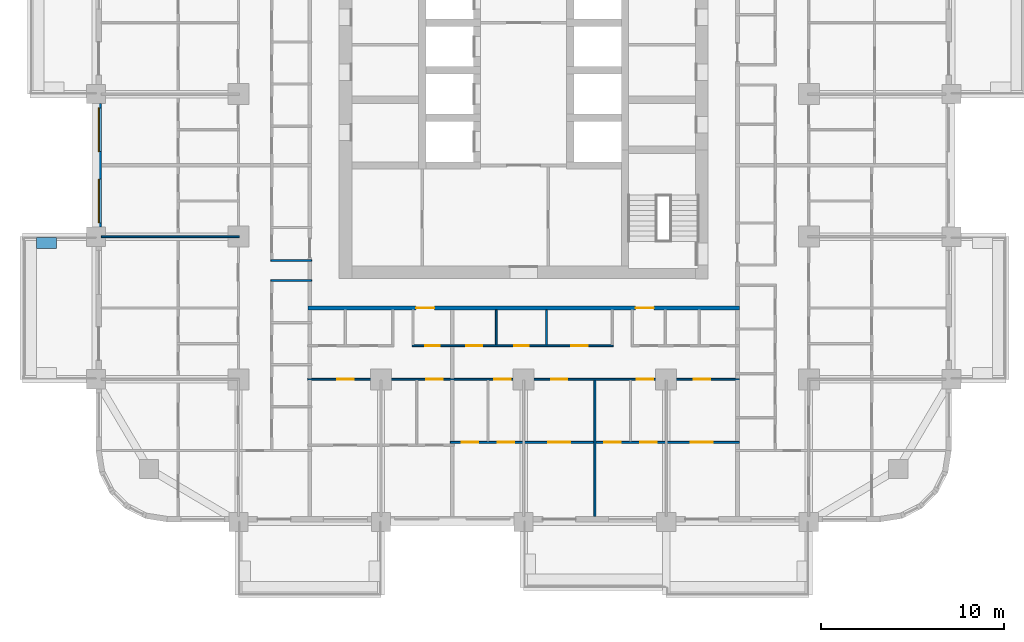
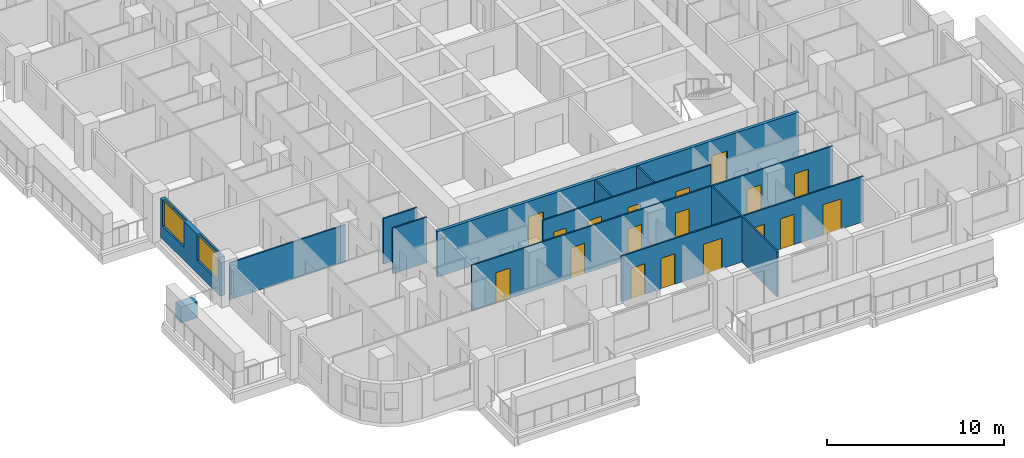
# One storey, part 4 of 18: 18 doors, 12 walls, 2 windows, 20 openings.
"""IFC4 building model written with IfcOpenShell, lengths in metres."""

import ifcopenshell
import ifcopenshell.guid

model = None  # the IFC model being written
_history = None  # IfcOwnerHistory: only IFC2X3 demands one
_inside = {}  # id of a spatial element -> (the spatial element, [elements in it])
_under = {}  # id of a project, library or spatial element -> (it, [spatial elements below it])
_declared = {}  # id of a project -> (the project, [libraries it declares])
_typed = {}  # id of a type object -> (the type object, [elements of that type])
_made_of = {}  # id of a material, layer set ... -> (it, [elements and type objects made of it])


def new_model(schema):
    """Start an empty IFC model of exactly this schema.

    Asked for "IFC4X3", IfcOpenShell would pick the latest addendum, in which some entities
    have other attributes; the version numbers below select the first issue.
    IFC2X3 requires an IfcOwnerHistory on every rooted entity: one is made here for all.
    """
    global model, _history
    if schema == "IFC4X3":
        model = ifcopenshell.file(schema_version=(4, 3, 0, 0))
    else:
        model = ifcopenshell.file(schema=schema)
    _inside.clear()
    _under.clear()
    _declared.clear()
    _typed.clear()
    _made_of.clear()
    _history = None
    if model.schema == "IFC2X3":
        org = make("IfcOrganization", Name="unknown")
        user = make(
            "IfcPersonAndOrganization",
            ThePerson=make("IfcPerson", FamilyName="unknown"),
            TheOrganization=org,
        )
        app = make(
            "IfcApplication",
            ApplicationDeveloper=org,
            Version="unknown",
            ApplicationFullName="unknown",
            ApplicationIdentifier="unknown",
        )
        _history = make(
            "IfcOwnerHistory",
            OwningUser=user,
            OwningApplication=app,
            ChangeAction="ADDED",
            CreationDate=0,
        )
    return model


def make(cls, **values):
    """One entity of the class cls with the attributes given. An attribute that is None is left unset."""
    return model.create_entity(
        cls, **{name: value for name, value in values.items() if value is not None}
    )


def rooted(cls, **values):
    """An entity with a GlobalId (a new one), such as an element, a storey or a relation."""
    return make(cls, GlobalId=ifcopenshell.guid.new(), OwnerHistory=_history, **values)


def si_unit(unit_type, name, prefix=None):
    """IfcSIUnit, for example si_unit("LENGTHUNIT", "METRE", prefix="MILLI")."""
    return make("IfcSIUnit", UnitType=unit_type, Prefix=prefix, Name=name)


def assignment(units):
    """IfcUnitAssignment: the units of a project."""
    return None if units is None else make("IfcUnitAssignment", Units=units)


def point(xyz):
    """IfcCartesianPoint."""
    return None if xyz is None else make("IfcCartesianPoint", Coordinates=xyz)


def direction(xyz):
    """IfcDirection."""
    return None if xyz is None else make("IfcDirection", DirectionRatios=xyz)


def frame(location, z_axis=None, x_axis=None):
    """IfcAxis2Placement3D, a coordinate frame: its origin and axes. An axis left out is left unset."""
    return make(
        "IfcAxis2Placement3D",
        Location=point(location),
        Axis=direction(z_axis),
        RefDirection=direction(x_axis),
    )


def frame_2d(location, x_axis=None):
    """IfcAxis2Placement2D, a coordinate frame in the plane: its origin and x axis."""
    return make(
        "IfcAxis2Placement2D", Location=point(location), RefDirection=direction(x_axis)
    )


def origin():
    """The frame at (0, 0, 0) with its axes left unset."""
    return frame((0.0, 0.0, 0.0))


def place(relative_to, where):
    """IfcLocalPlacement: puts the frame where relative to a parent placement (None: the world)."""
    return make(
        "IfcLocalPlacement", PlacementRelTo=relative_to, RelativePlacement=where
    )


def context(
    kind, dimensions, precision=None, world=None, true_north=None, identifier=None
):
    """IfcGeometricRepresentationContext, for example the 3D "Model" context."""
    return make(
        "IfcGeometricRepresentationContext",
        ContextIdentifier=identifier,
        ContextType=kind,
        CoordinateSpaceDimension=dimensions,
        Precision=precision,
        WorldCoordinateSystem=world,
        TrueNorth=true_north,
    )


def subcontext(parent, identifier, kind, view, scale=None):
    """IfcGeometricRepresentationSubContext, for example "Body" below "Model"."""
    return make(
        "IfcGeometricRepresentationSubContext",
        ContextIdentifier=identifier,
        ContextType=kind,
        ParentContext=parent,
        TargetScale=scale,
        TargetView=view,
    )


def project(units=None, contexts=None):
    """IfcProject with its units and contexts."""
    return rooted(
        "IfcProject",
        Name="project",
        RepresentationContexts=contexts,
        UnitsInContext=assignment(units),
    )


def spatial(cls, under=None, at=None, **own):
    """A site, building, storey or space (cls), placed at a placement, below another one or the project."""
    s = rooted(cls, ObjectPlacement=at, **own)
    if under is not None:
        _under.setdefault(under.id(), (under, []))[1].append(s)
    return s


def profile(cls, at=None, kind="AREA", **sizes):
    """A parametric profile (cls). Its sizes go by their IFC names, for example OverallWidth=200.0."""
    return make(cls, ProfileType=kind, Position=at, **sizes)


def rectangle(**sizes):
    """IfcRectangleProfileDef."""
    return profile("IfcRectangleProfileDef", **sizes)


def extrude(swept, where, along, depth):
    """IfcExtrudedAreaSolid: the profile swept, set in the frame where, extruded along a direction by depth."""
    return make(
        "IfcExtrudedAreaSolid",
        SweptArea=swept,
        Position=where,
        ExtrudedDirection=direction(along),
        Depth=depth,
    )


def shape(context_of_items, identifier, shape_type, items):
    """IfcShapeRepresentation: the items that make up one representation, for example the "Body"."""
    return make(
        "IfcShapeRepresentation",
        ContextOfItems=context_of_items,
        RepresentationIdentifier=identifier,
        RepresentationType=shape_type,
        Items=items,
    )


def material(Name=None, Category=None):
    """IfcMaterial."""
    return make("IfcMaterial", Name=Name, Category=Category)


def layer(
    of_material, thickness, ventilated=None, Name=None, Category=None, Priority=None
):
    """IfcMaterialLayer: one layer of a wall or slab, of a material (None: an air gap)."""
    return make(
        "IfcMaterialLayer",
        Material=of_material,
        LayerThickness=thickness,
        IsVentilated=ventilated,
        Name=Name,
        Category=Category,
        Priority=Priority,
    )


def layer_set(layers, Name=None):
    """IfcMaterialLayerSet."""
    return make("IfcMaterialLayerSet", MaterialLayers=layers, LayerSetName=Name)


def made_of(thing, what):
    """Note that an element or type object is made of a material, layer set ...; save() writes the relation."""
    if what is not None:
        _made_of.setdefault(what.id(), (what, []))[1].append(thing)
    return thing


def type_object(cls, material=None, **own):
    """A type object (cls), such as IfcWallType, which elements share."""
    return made_of(rooted(cls, **own), material)


def element(
    cls,
    number,
    at=None,
    inside=None,
    cuts=None,
    type_object=None,
    material=None,
    context=None,
    identifier="Body",
    shape_type=None,
    held_by="IfcProductDefinitionShape",
    body=None,
    shapes=None,
    **own,
):
    """One element of the class cls, such as IfcWall. Its Tag is "e" and its number.

    at: its placement. inside: the storey or other place that contains it. cuts: it is an
    opening in that element (IfcRelVoidsElement). A single representation is given by context,
    identifier, shape_type and body (its items); several are given by shapes. held_by: the class
    of the entity that holds the representations. save() writes the other relations.
    """
    e = rooted(cls, Tag="e%d" % number, ObjectPlacement=at, **own)
    if body is not None:
        shapes = [shape(context, identifier, shape_type, body)]
    if shapes is not None:
        e.Representation = make(held_by, Representations=shapes)
    if inside is not None:
        _inside.setdefault(inside.id(), (inside, []))[1].append(e)
    if cuts is not None:
        rooted(
            "IfcRelVoidsElement", RelatingBuildingElement=cuts, RelatedOpeningElement=e
        )
    if type_object is not None:
        _typed.setdefault(type_object.id(), (type_object, []))[1].append(e)
    return made_of(e, material)


def fill(opening, filler):
    """IfcRelFillsElement: the door or window that sits in an opening."""
    return rooted(
        "IfcRelFillsElement",
        RelatingOpeningElement=opening,
        RelatedBuildingElement=filler,
    )


def aggregate(whole, parts):
    """IfcRelAggregates: a whole, such as a stair, and the parts it consists of."""
    return rooted("IfcRelAggregates", RelatingObject=whole, RelatedObjects=parts)


def save(model, path):
    """Write the relations noted so far, then the file.

    IfcRelAggregates (storeys below a building ...), IfcRelContainedInSpatialStructure (elements
    in a storey), IfcRelDefinesByType, IfcRelAssociatesMaterial and IfcRelDeclares: one each for
    every whole, place, type object, material and project.
    """
    for whole, parts in _under.values():
        aggregate(whole, parts)
    for where, things in _inside.values():
        rooted(
            "IfcRelContainedInSpatialStructure",
            RelatedElements=things,
            RelatingStructure=where,
        )
    for kind, things in _typed.values():
        rooted("IfcRelDefinesByType", RelatedObjects=things, RelatingType=kind)
    for what, things in _made_of.values():
        rooted("IfcRelAssociatesMaterial", RelatedObjects=things, RelatingMaterial=what)
    for by, libraries in _declared.values():
        rooted("IfcRelDeclares", RelatingContext=by, RelatedDefinitions=libraries)
    model.write(path)


model = new_model("IFC4")

# Units and contexts
model_context = context("Model", 3, precision=1e-05, world=origin(), true_north=direction((0.0, 1.0)))
body_context = subcontext(model_context, "Body", "Model", "MODEL_VIEW")
ifc_project = project(units=[si_unit("LENGTHUNIT", "METRE"), si_unit("AREAUNIT", "SQUARE_METRE"), si_unit("VOLUMEUNIT", "CUBIC_METRE"), si_unit("PLANEANGLEUNIT", "RADIAN"), si_unit("MASSUNIT", "GRAM", prefix="KILO")], contexts=[model_context])

# Site, building, storey
site_placement = place(None, origin())
site = spatial("IfcSite", under=ifc_project, at=site_placement, CompositionType="ELEMENT")
building_placement = place(site_placement, origin())
building = spatial("IfcBuilding", under=site, at=building_placement, Name="Ludao Terraces", CompositionType="ELEMENT")
storey_placement = place(building_placement, frame((0.0, 0.0, 29.699951171875)))
storey = spatial("IfcBuildingStorey", under=building, at=storey_placement, Name="L07", CompositionType="ELEMENT", Elevation=29.699951171875)

# Wall
ifc_material_1 = material(Name="Concrete C40", Category="concrete")
ifc_layer_1 = layer(ifc_material_1, 0.60009765625)
ifc_layer_set_1 = layer_set([ifc_layer_1], Name="ENV Planter trough 600")
wall_type_1 = type_object("IfcWallType", Name="ENV Planter trough 600", PredefinedType="USERDEFINED", material=ifc_layer_set_1)
wall_1_placement = place(storey_placement, frame((58.35009765625, 56.85009765625, 0.0), z_axis=(0.0, 0.0, 1.0), x_axis=(1.0, 0.0, 0.0)))
element("IfcWall", 1, at=wall_1_placement, inside=storey, type_object=wall_type_1, Name="PL-L07-W1-SB", ObjectType="PLANTER", PredefinedType="USERDEFINED", context=body_context, shape_type="SweptSolid", body=[
    extrude(rectangle(XDim=1.099853515625, YDim=0.60009765625, at=frame_2d((0.5498046875, 0.0))), origin(), (0.0, 0.0, 1.0), 1.10009765625),
])

# Wall, openings, windows
ifc_material_2 = material(Name="Granite cladding", Category="masonry")
ifc_layer_2 = layer(ifc_material_2, 0.0400390625, Category="stone")
ifc_material_3 = material(Name="Mineral wool")
ifc_layer_3 = layer(ifc_material_3, 0.06005859375)
ifc_layer_4 = layer(ifc_material_1, 0.199951171875, Category="concrete")
ifc_layer_set_2 = layer_set([ifc_layer_2, ifc_layer_3, ifc_layer_4], Name="ENV Stone-clad wall 300")
wall_type_2 = type_object("IfcWallType", Name="ENV Stone-clad wall 300", PredefinedType="SOLIDWALL", material=ifc_layer_set_2)
wall_2_placement = place(storey_placement, frame((61.75, 57.72509765625, 0.0), z_axis=(0.0, 0.0, 1.0), x_axis=(0.0, 1.0, 0.0)))
wall_2 = element("IfcWall", 2, at=wall_2_placement, inside=storey, type_object=wall_type_2, Name="EW-L07-W3", PredefinedType="SOLIDWALL", context=body_context, shape_type="SweptSolid", body=[
    extrude(rectangle(XDim=6.75, YDim=0.300048828125, at=frame_2d((3.375, 0.0))), origin(), (0.0, 0.0, 1.0), 2.699951171875),
])
opening_1_placement = place(wall_2_placement, frame((0.22509765625, 0.0, 0.89990234375)))
opening_1 = element("IfcOpeningElement", 3, at=opening_1_placement, cuts=wall_2, Name="Opening W1", PredefinedType="OPENING", context=body_context, shape_type="SweptSolid", body=[
    extrude(rectangle(XDim=2.39990234375, YDim=1.800048828125, at=frame_2d((1.199951171875, 0.89990234375))), frame((0.0, 0.16015625, 0.0), z_axis=(0.0, -1.0, 0.0), x_axis=(1.0, 0.0, 0.0)), (0.0, 0.0, 1.0), 0.320068359375),
])
opening_2_placement = place(wall_2_placement, frame((4.125, 0.0, 0.89990234375)))
opening_2 = element("IfcOpeningElement", 4, at=opening_2_placement, cuts=wall_2, Name="Opening W1", PredefinedType="OPENING", context=body_context, shape_type="SweptSolid", body=[
    extrude(rectangle(XDim=2.39990234375, YDim=1.800048828125, at=frame_2d((1.199951171875, 0.89990234375))), frame((0.0, 0.16015625, 0.0), z_axis=(0.0, -1.0, 0.0), x_axis=(1.0, 0.0, 0.0)), (0.0, 0.0, 1.0), 0.320068359375),
])
ifc_material_4 = material(Name="Clear glass in aluminium frame", Category="aluminium")
ifc_layer_5 = layer(ifc_material_4, 0.06005859375)
ifc_layer_set_3 = layer_set([ifc_layer_5], Name="ENV Window W1 2400x1800")
window_type = type_object("IfcWindowType", Name="ENV Window W1 2400x1800", PartitioningType="DOUBLE_PANEL_VERTICAL", PredefinedType="WINDOW", material=ifc_layer_set_3)
window_1_placement = place(opening_1_placement, origin())
window_1 = element("IfcWindow", 5, at=window_1_placement, inside=storey, type_object=window_type, Name="W-L07-W3-1", OverallHeight=1.800048828125, OverallWidth=2.39990234375, PartitioningType="DOUBLE_PANEL_VERTICAL", PredefinedType="WINDOW", context=body_context, shape_type="SweptSolid", body=[
    extrude(rectangle(XDim=2.39990234375, YDim=1.800048828125, at=frame_2d((1.199951171875, 0.89990234375))), frame((0.0, 0.030029296875, 0.0), z_axis=(0.0, -1.0, 0.0), x_axis=(1.0, 0.0, 0.0)), (0.0, 0.0, 1.0), 0.06005859375),
])
fill(opening_1, window_1)
window_2_placement = place(opening_2_placement, origin())
window_2 = element("IfcWindow", 6, at=window_2_placement, inside=storey, type_object=window_type, Name="W-L07-W3-2", OverallHeight=1.800048828125, OverallWidth=2.39990234375, PartitioningType="DOUBLE_PANEL_VERTICAL", PredefinedType="WINDOW", context=body_context, shape_type="SweptSolid", body=[
    extrude(rectangle(XDim=2.39990234375, YDim=1.800048828125, at=frame_2d((1.199951171875, 0.89990234375))), frame((0.0, 0.030029296875, 0.0), z_axis=(0.0, -1.0, 0.0), x_axis=(1.0, 0.0, 0.0)), (0.0, 0.0, 1.0), 0.06005859375),
])
fill(opening_2, window_2)

# Wall, openings, doors
ifc_material_5 = material(Name="Autoclaved aerated concrete block B06 A3.5", Category="concrete")
ifc_layer_6 = layer(ifc_material_5, 0.199951171875)
ifc_layer_set_4 = layer_set([ifc_layer_6], Name="INT Entrance wall 200")
wall_type_3 = type_object("IfcWallType", Name="INT Entrance wall 200", PredefinedType="PARTITIONING", material=ifc_layer_set_4)
wall_3_placement = place(storey_placement, frame((73.2001953125, 53.300048828125, 0.0), z_axis=(0.0, 0.0, 1.0), x_axis=(1.0, 0.0, 0.0)))
wall_3 = element("IfcWall", 7, at=wall_3_placement, inside=storey, type_object=wall_type_3, Name="PW-L07-PW019", PredefinedType="PARTITIONING", context=body_context, shape_type="SweptSolid", body=[
    extrude(rectangle(XDim=23.599853515625, YDim=0.199951171875, at=frame_2d((11.7998046875, 0.0))), origin(), (0.0, 0.0, 1.0), 3.150146484375),
])
opening_3_placement = place(wall_3_placement, frame((5.9248046875, 0.0, 0.0)))
opening_3 = element("IfcOpeningElement", 8, at=opening_3_placement, cuts=wall_3, Name="Opening R02-047", PredefinedType="OPENING", context=body_context, shape_type="SweptSolid", body=[
    extrude(rectangle(XDim=1.0, YDim=2.10009765625, at=frame_2d((0.5, 1.050048828125))), frame((0.0, 0.10986328125, 0.0), z_axis=(0.0, -1.0, 0.0), x_axis=(1.0, 0.0, 0.0)), (0.0, 0.0, 1.0), 0.219970703125),
])
opening_4_placement = place(wall_3_placement, frame((17.9248046875, 0.0, 0.0)))
opening_4 = element("IfcOpeningElement", 9, at=opening_4_placement, cuts=wall_3, Name="Opening R02-048", PredefinedType="OPENING", context=body_context, shape_type="SweptSolid", body=[
    extrude(rectangle(XDim=1.0, YDim=2.10009765625, at=frame_2d((0.5, 1.050048828125))), frame((0.0, 0.10986328125, 0.0), z_axis=(0.0, -1.0, 0.0), x_axis=(1.0, 0.0, 0.0)), (0.0, 0.0, 1.0), 0.219970703125),
])
ifc_material_6 = material(Name="Steel Q235", Category="steel")
door_type_1 = type_object("IfcDoorType", Name="INT Flat entrance door 1000", OperationType="SINGLE_SWING_LEFT", PredefinedType="DOOR", material=ifc_material_6)
door_1_placement = place(opening_3_placement, origin())
door_1 = element("IfcDoor", 10, at=door_1_placement, inside=storey, type_object=door_type_1, Name="DOOR 047", OperationType="SINGLE_SWING_LEFT", OverallHeight=2.10009765625, OverallWidth=1.0, PredefinedType="DOOR", context=body_context, shape_type="SweptSolid", body=[
    extrude(rectangle(XDim=1.0, YDim=2.10009765625, at=frame_2d((0.5, 1.050048828125))), frame((0.0, 0.02490234375, 0.0), z_axis=(0.0, -1.0, 0.0), x_axis=(1.0, 0.0, 0.0)), (0.0, 0.0, 1.0), 0.050048828125),
])
fill(opening_3, door_1)
door_2_placement = place(opening_4_placement, origin())
door_2 = element("IfcDoor", 11, at=door_2_placement, inside=storey, type_object=door_type_1, Name="DOOR 048", OperationType="SINGLE_SWING_LEFT", OverallHeight=2.10009765625, OverallWidth=1.0, PredefinedType="DOOR", context=body_context, shape_type="SweptSolid", body=[
    extrude(rectangle(XDim=1.0, YDim=2.10009765625, at=frame_2d((0.5, 1.050048828125))), frame((0.0, 0.02490234375, 0.0), z_axis=(0.0, -1.0, 0.0), x_axis=(1.0, 0.0, 0.0)), (0.0, 0.0, 1.0), 0.050048828125),
])
fill(opening_4, door_2)

ifc_material_7 = material(Name="Gypsum plasterboard", Category="gypsum")
ifc_layer_7 = layer(ifc_material_7, 0.012451171875, Category="gypsum")
ifc_layer_8 = layer(ifc_material_3, 0.06005859375, Name="insulation")
ifc_layer_9 = layer(ifc_material_6, 0.014892578125, Name="stud")
ifc_layer_10 = layer(ifc_material_7, 0.012451171875, Category="gypsum")
ifc_layer_set_5 = layer_set([ifc_layer_7, ifc_layer_8, ifc_layer_9, ifc_layer_10], Name="INT Partition 100")
wall_type_4 = type_object("IfcWallType", Name="INT Partition 100", PredefinedType="PARTITIONING", material=ifc_layer_set_5)
wall_4_placement = place(storey_placement, frame((81.0, 45.949951171875, 0.0), z_axis=(0.0, 0.0, 1.0), x_axis=(1.0, 0.0, 0.0)))
wall_4 = element("IfcWall", 12, at=wall_4_placement, inside=storey, type_object=wall_type_4, Name="PW-L07-PW003", PredefinedType="PARTITIONING", context=body_context, shape_type="SweptSolid", body=[
    extrude(rectangle(XDim=15.800048828125, YDim=0.10009765625, at=frame_2d((7.89990234375, 0.0))), origin(), (0.0, 0.0, 1.0), 3.150146484375),
])
opening_5_placement = place(wall_4_placement, frame((0.625, 0.0, 0.0)))
opening_5 = element("IfcOpeningElement", 13, at=opening_5_placement, cuts=wall_4, Name="Opening R02-010", PredefinedType="OPENING", context=body_context, shape_type="SweptSolid", body=[
    extrude(rectangle(XDim=0.89990234375, YDim=2.10009765625, at=frame_2d((0.449951171875, 1.050048828125))), frame((0.0, 0.06005859375, 0.0), z_axis=(0.0, -1.0, 0.0), x_axis=(1.0, 0.0, 0.0)), (0.0, 0.0, 1.0), 0.1201171875),
])
opening_6_placement = place(wall_4_placement, frame((2.5751953125, 0.0, 0.0)))
opening_6 = element("IfcOpeningElement", 14, at=opening_6_placement, cuts=wall_4, Name="Opening R02-011", PredefinedType="OPENING", context=body_context, shape_type="SweptSolid", body=[
    extrude(rectangle(XDim=0.89990234375, YDim=2.10009765625, at=frame_2d((0.449951171875, 1.050048828125))), frame((0.0, 0.06005859375, 0.0), z_axis=(0.0, -1.0, 0.0), x_axis=(1.0, 0.0, 0.0)), (0.0, 0.0, 1.0), 0.1201171875),
])
opening_7_placement = place(wall_4_placement, frame((5.35009765625, 0.0, 0.0)))
opening_7 = element("IfcOpeningElement", 15, at=opening_7_placement, cuts=wall_4, Name="Opening R02-012", PredefinedType="OPENING", context=body_context, shape_type="SweptSolid", body=[
    extrude(rectangle(XDim=1.199951171875, YDim=2.10009765625, at=frame_2d((0.60009765625, 1.050048828125))), frame((0.0, 0.06005859375, 0.0), z_axis=(0.0, -1.0, 0.0), x_axis=(1.0, 0.0, 0.0)), (0.0, 0.0, 1.0), 0.1201171875),
])
opening_8_placement = place(wall_4_placement, frame((8.425048828125, 0.0, 0.0)))
opening_8 = element("IfcOpeningElement", 16, at=opening_8_placement, cuts=wall_4, Name="Opening R02-013", PredefinedType="OPENING", context=body_context, shape_type="SweptSolid", body=[
    extrude(rectangle(XDim=0.89990234375, YDim=2.10009765625, at=frame_2d((0.449951171875, 1.050048828125))), frame((0.0, 0.06005859375, 0.0), z_axis=(0.0, -1.0, 0.0), x_axis=(1.0, 0.0, 0.0)), (0.0, 0.0, 1.0), 0.1201171875),
])
opening_9_placement = place(wall_4_placement, frame((10.375, 0.0, 0.0)))
opening_9 = element("IfcOpeningElement", 17, at=opening_9_placement, cuts=wall_4, Name="Opening R02-014", PredefinedType="OPENING", context=body_context, shape_type="SweptSolid", body=[
    extrude(rectangle(XDim=0.89990234375, YDim=2.10009765625, at=frame_2d((0.449951171875, 1.050048828125))), frame((0.0, 0.06005859375, 0.0), z_axis=(0.0, -1.0, 0.0), x_axis=(1.0, 0.0, 0.0)), (0.0, 0.0, 1.0), 0.1201171875),
])
opening_10_placement = place(wall_4_placement, frame((13.150146484375, 0.0, 0.0)))
opening_10 = element("IfcOpeningElement", 18, at=opening_10_placement, cuts=wall_4, Name="Opening R02-015", PredefinedType="OPENING", context=body_context, shape_type="SweptSolid", body=[
    extrude(rectangle(XDim=1.199951171875, YDim=2.10009765625, at=frame_2d((0.60009765625, 1.050048828125))), frame((0.0, 0.06005859375, 0.0), z_axis=(0.0, -1.0, 0.0), x_axis=(1.0, 0.0, 0.0)), (0.0, 0.0, 1.0), 0.1201171875),
])
ifc_material_8 = material(Name="Timber door leaf", Category="wood")
door_type_2 = type_object("IfcDoorType", Name="INT Bathroom door 900", OperationType="SINGLE_SWING_LEFT", PredefinedType="DOOR", material=ifc_material_8)
door_3_placement = place(opening_5_placement, origin())
door_3 = element("IfcDoor", 19, at=door_3_placement, inside=storey, type_object=door_type_2, Name="DOOR 010", OperationType="SINGLE_SWING_LEFT", OverallHeight=2.10009765625, OverallWidth=0.89990234375, PredefinedType="DOOR", context=body_context, shape_type="SweptSolid", body=[
    extrude(rectangle(XDim=0.89990234375, YDim=2.10009765625, at=frame_2d((0.449951171875, 1.050048828125))), frame((0.0, 0.02490234375, 0.0), z_axis=(0.0, -1.0, 0.0), x_axis=(1.0, 0.0, 0.0)), (0.0, 0.0, 1.0), 0.050048828125),
])
fill(opening_5, door_3)
door_4_placement = place(opening_8_placement, origin())
door_4 = element("IfcDoor", 20, at=door_4_placement, inside=storey, type_object=door_type_2, Name="DOOR 013", OperationType="SINGLE_SWING_LEFT", OverallHeight=2.10009765625, OverallWidth=0.89990234375, PredefinedType="DOOR", context=body_context, shape_type="SweptSolid", body=[
    extrude(rectangle(XDim=0.89990234375, YDim=2.10009765625, at=frame_2d((0.449951171875, 1.050048828125))), frame((0.0, 0.02490234375, 0.0), z_axis=(0.0, -1.0, 0.0), x_axis=(1.0, 0.0, 0.0)), (0.0, 0.0, 1.0), 0.050048828125),
])
fill(opening_8, door_4)
door_type_3 = type_object("IfcDoorType", Name="INT Double door 1200", OperationType="DOUBLE_DOOR_SINGLE_SWING", PredefinedType="DOOR", material=ifc_material_8)
door_5_placement = place(opening_7_placement, origin())
door_5 = element("IfcDoor", 21, at=door_5_placement, inside=storey, type_object=door_type_3, Name="DOOR 012", OperationType="DOUBLE_DOOR_SINGLE_SWING", OverallHeight=2.10009765625, OverallWidth=1.199951171875, PredefinedType="DOOR", context=body_context, shape_type="SweptSolid", body=[
    extrude(rectangle(XDim=1.199951171875, YDim=2.10009765625, at=frame_2d((0.60009765625, 1.050048828125))), frame((0.0, 0.02490234375, 0.0), z_axis=(0.0, -1.0, 0.0), x_axis=(1.0, 0.0, 0.0)), (0.0, 0.0, 1.0), 0.050048828125),
])
fill(opening_7, door_5)
door_6_placement = place(opening_10_placement, origin())
door_6 = element("IfcDoor", 22, at=door_6_placement, inside=storey, type_object=door_type_3, Name="DOOR 015", OperationType="DOUBLE_DOOR_SINGLE_SWING", OverallHeight=2.10009765625, OverallWidth=1.199951171875, PredefinedType="DOOR", context=body_context, shape_type="SweptSolid", body=[
    extrude(rectangle(XDim=1.199951171875, YDim=2.10009765625, at=frame_2d((0.60009765625, 1.050048828125))), frame((0.0, 0.02490234375, 0.0), z_axis=(0.0, -1.0, 0.0), x_axis=(1.0, 0.0, 0.0)), (0.0, 0.0, 1.0), 0.050048828125),
])
fill(opening_10, door_6)
door_type_4 = type_object("IfcDoorType", Name="INT Room door 900", OperationType="SINGLE_SWING_LEFT", PredefinedType="DOOR", material=ifc_material_8)
door_7_placement = place(opening_6_placement, origin())
door_7 = element("IfcDoor", 23, at=door_7_placement, inside=storey, type_object=door_type_4, Name="DOOR 011", OperationType="SINGLE_SWING_LEFT", OverallHeight=2.10009765625, OverallWidth=0.89990234375, PredefinedType="DOOR", context=body_context, shape_type="SweptSolid", body=[
    extrude(rectangle(XDim=0.89990234375, YDim=2.10009765625, at=frame_2d((0.449951171875, 1.050048828125))), frame((0.0, 0.02490234375, 0.0), z_axis=(0.0, -1.0, 0.0), x_axis=(1.0, 0.0, 0.0)), (0.0, 0.0, 1.0), 0.050048828125),
])
fill(opening_6, door_7)
door_8_placement = place(opening_9_placement, origin())
door_8 = element("IfcDoor", 24, at=door_8_placement, inside=storey, type_object=door_type_4, Name="DOOR 014", OperationType="SINGLE_SWING_RIGHT", OverallHeight=2.10009765625, OverallWidth=0.89990234375, PredefinedType="DOOR", context=body_context, shape_type="SweptSolid", body=[
    extrude(rectangle(XDim=0.89990234375, YDim=2.10009765625, at=frame_2d((0.449951171875, 1.050048828125))), frame((0.0, 0.02490234375, 0.0), z_axis=(0.0, -1.0, 0.0), x_axis=(1.0, 0.0, 0.0)), (0.0, 0.0, 1.0), 0.050048828125),
])
fill(opening_9, door_8)

wall_5_placement = place(storey_placement, frame((73.2001953125, 49.39990234375, 0.0), z_axis=(0.0, 0.0, 1.0), x_axis=(1.0, 0.0, 0.0)))
wall_5 = element("IfcWall", 25, at=wall_5_placement, inside=storey, type_object=wall_type_4, Name="PW-L07-PW007", PredefinedType="PARTITIONING", context=body_context, shape_type="SweptSolid", body=[
    extrude(rectangle(XDim=23.599853515625, YDim=0.10009765625, at=frame_2d((11.7998046875, 0.0))), origin(), (0.0, 0.0, 1.0), 3.150146484375),
])
opening_11_placement = place(wall_5_placement, frame((1.599853515625, 0.0, 0.0)))
opening_11 = element("IfcOpeningElement", 26, at=opening_11_placement, cuts=wall_5, Name="Opening R02-024", PredefinedType="OPENING", context=body_context, shape_type="SweptSolid", body=[
    extrude(rectangle(XDim=0.89990234375, YDim=2.10009765625, at=frame_2d((0.449951171875, 1.050048828125))), frame((0.0, 0.06005859375, 0.0), z_axis=(0.0, -1.0, 0.0), x_axis=(1.0, 0.0, 0.0)), (0.0, 0.0, 1.0), 0.1201171875),
])
opening_12_placement = place(wall_5_placement, frame((6.474853515625, 0.0, 0.0)))
opening_12 = element("IfcOpeningElement", 27, at=opening_12_placement, cuts=wall_5, Name="Opening R02-025", PredefinedType="OPENING", context=body_context, shape_type="SweptSolid", body=[
    extrude(rectangle(XDim=0.89990234375, YDim=2.10009765625, at=frame_2d((0.449951171875, 1.050048828125))), frame((0.0, 0.06005859375, 0.0), z_axis=(0.0, -1.0, 0.0), x_axis=(1.0, 0.0, 0.0)), (0.0, 0.0, 1.0), 0.1201171875),
])
opening_13_placement = place(wall_5_placement, frame((10.199951171875, 0.0, 0.0)))
opening_13 = element("IfcOpeningElement", 28, at=opening_13_placement, cuts=wall_5, Name="Opening R02-026", PredefinedType="OPENING", context=body_context, shape_type="SweptSolid", body=[
    extrude(rectangle(XDim=0.89990234375, YDim=2.10009765625, at=frame_2d((0.449951171875, 1.050048828125))), frame((0.0, 0.06005859375, 0.0), z_axis=(0.0, -1.0, 0.0), x_axis=(1.0, 0.0, 0.0)), (0.0, 0.0, 1.0), 0.1201171875),
])
opening_14_placement = place(wall_5_placement, frame((13.2998046875, 0.0, 0.0)))
opening_14 = element("IfcOpeningElement", 29, at=opening_14_placement, cuts=wall_5, Name="Opening R02-027", PredefinedType="OPENING", context=body_context, shape_type="SweptSolid", body=[
    extrude(rectangle(XDim=0.89990234375, YDim=2.10009765625, at=frame_2d((0.449951171875, 1.050048828125))), frame((0.0, 0.06005859375, 0.0), z_axis=(0.0, -1.0, 0.0), x_axis=(1.0, 0.0, 0.0)), (0.0, 0.0, 1.0), 0.1201171875),
])
opening_15_placement = place(wall_5_placement, frame((18.0, 0.0, 0.0)))
opening_15 = element("IfcOpeningElement", 30, at=opening_15_placement, cuts=wall_5, Name="Opening R02-028", PredefinedType="OPENING", context=body_context, shape_type="SweptSolid", body=[
    extrude(rectangle(XDim=0.89990234375, YDim=2.10009765625, at=frame_2d((0.449951171875, 1.050048828125))), frame((0.0, 0.06005859375, 0.0), z_axis=(0.0, -1.0, 0.0), x_axis=(1.0, 0.0, 0.0)), (0.0, 0.0, 1.0), 0.1201171875),
])
opening_16_placement = place(wall_5_placement, frame((21.099853515625, 0.0, 0.0)))
opening_16 = element("IfcOpeningElement", 31, at=opening_16_placement, cuts=wall_5, Name="Opening R02-029", PredefinedType="OPENING", context=body_context, shape_type="SweptSolid", body=[
    extrude(rectangle(XDim=0.89990234375, YDim=2.10009765625, at=frame_2d((0.449951171875, 1.050048828125))), frame((0.0, 0.06005859375, 0.0), z_axis=(0.0, -1.0, 0.0), x_axis=(1.0, 0.0, 0.0)), (0.0, 0.0, 1.0), 0.1201171875),
])
door_9_placement = place(opening_11_placement, origin())
door_9 = element("IfcDoor", 32, at=door_9_placement, inside=storey, type_object=door_type_4, Name="DOOR 024", OperationType="SINGLE_SWING_RIGHT", OverallHeight=2.10009765625, OverallWidth=0.89990234375, PredefinedType="DOOR", context=body_context, shape_type="SweptSolid", body=[
    extrude(rectangle(XDim=0.89990234375, YDim=2.10009765625, at=frame_2d((0.449951171875, 1.050048828125))), frame((0.0, 0.02490234375, 0.0), z_axis=(0.0, -1.0, 0.0), x_axis=(1.0, 0.0, 0.0)), (0.0, 0.0, 1.0), 0.050048828125),
])
fill(opening_11, door_9)
door_10_placement = place(opening_12_placement, origin())
door_10 = element("IfcDoor", 33, at=door_10_placement, inside=storey, type_object=door_type_4, Name="DOOR 025", OperationType="SINGLE_SWING_LEFT", OverallHeight=2.10009765625, OverallWidth=0.89990234375, PredefinedType="DOOR", context=body_context, shape_type="SweptSolid", body=[
    extrude(rectangle(XDim=0.89990234375, YDim=2.10009765625, at=frame_2d((0.449951171875, 1.050048828125))), frame((0.0, 0.02490234375, 0.0), z_axis=(0.0, -1.0, 0.0), x_axis=(1.0, 0.0, 0.0)), (0.0, 0.0, 1.0), 0.050048828125),
])
fill(opening_12, door_10)
door_11_placement = place(opening_13_placement, origin())
door_11 = element("IfcDoor", 34, at=door_11_placement, inside=storey, type_object=door_type_4, Name="DOOR 026", OperationType="SINGLE_SWING_RIGHT", OverallHeight=2.10009765625, OverallWidth=0.89990234375, PredefinedType="DOOR", context=body_context, shape_type="SweptSolid", body=[
    extrude(rectangle(XDim=0.89990234375, YDim=2.10009765625, at=frame_2d((0.449951171875, 1.050048828125))), frame((0.0, 0.02490234375, 0.0), z_axis=(0.0, -1.0, 0.0), x_axis=(1.0, 0.0, 0.0)), (0.0, 0.0, 1.0), 0.050048828125),
])
fill(opening_13, door_11)
door_12_placement = place(opening_14_placement, origin())
door_12 = element("IfcDoor", 35, at=door_12_placement, inside=storey, type_object=door_type_4, Name="DOOR 027", OperationType="SINGLE_SWING_LEFT", OverallHeight=2.10009765625, OverallWidth=0.89990234375, PredefinedType="DOOR", context=body_context, shape_type="SweptSolid", body=[
    extrude(rectangle(XDim=0.89990234375, YDim=2.10009765625, at=frame_2d((0.449951171875, 1.050048828125))), frame((0.0, 0.02490234375, 0.0), z_axis=(0.0, -1.0, 0.0), x_axis=(1.0, 0.0, 0.0)), (0.0, 0.0, 1.0), 0.050048828125),
])
fill(opening_14, door_12)
door_13_placement = place(opening_15_placement, origin())
door_13 = element("IfcDoor", 36, at=door_13_placement, inside=storey, type_object=door_type_4, Name="DOOR 028", OperationType="SINGLE_SWING_RIGHT", OverallHeight=2.10009765625, OverallWidth=0.89990234375, PredefinedType="DOOR", context=body_context, shape_type="SweptSolid", body=[
    extrude(rectangle(XDim=0.89990234375, YDim=2.10009765625, at=frame_2d((0.449951171875, 1.050048828125))), frame((0.0, 0.02490234375, 0.0), z_axis=(0.0, -1.0, 0.0), x_axis=(1.0, 0.0, 0.0)), (0.0, 0.0, 1.0), 0.050048828125),
])
fill(opening_15, door_13)
door_14_placement = place(opening_16_placement, origin())
door_14 = element("IfcDoor", 37, at=door_14_placement, inside=storey, type_object=door_type_4, Name="DOOR 029", OperationType="SINGLE_SWING_RIGHT", OverallHeight=2.10009765625, OverallWidth=0.89990234375, PredefinedType="DOOR", context=body_context, shape_type="SweptSolid", body=[
    extrude(rectangle(XDim=0.89990234375, YDim=2.10009765625, at=frame_2d((0.449951171875, 1.050048828125))), frame((0.0, 0.02490234375, 0.0), z_axis=(0.0, -1.0, 0.0), x_axis=(1.0, 0.0, 0.0)), (0.0, 0.0, 1.0), 0.050048828125),
])
fill(opening_16, door_14)

wall_6_placement = place(storey_placement, frame((78.900146484375, 51.22998046875, 0.0), z_axis=(0.0, 0.0, 1.0), x_axis=(1.0, 0.0, 0.0)))
wall_6 = element("IfcWall", 38, at=wall_6_placement, inside=storey, type_object=wall_type_4, Name="PW-L07-PW012", PredefinedType="PARTITIONING", context=body_context, shape_type="SweptSolid", body=[
    extrude(rectangle(XDim=11.0, YDim=0.10009765625, at=frame_2d((5.5, 0.0))), origin(), (0.0, 0.0, 1.0), 3.150146484375),
])
opening_17_placement = place(wall_6_placement, frame((0.72509765625, 0.0, 0.0)))
opening_17 = element("IfcOpeningElement", 39, at=opening_17_placement, cuts=wall_6, Name="Opening R02-035", PredefinedType="OPENING", context=body_context, shape_type="SweptSolid", body=[
    extrude(rectangle(XDim=0.800048828125, YDim=2.10009765625, at=frame_2d((0.39990234375, 1.050048828125))), frame((0.0, 0.06005859375, 0.0), z_axis=(0.0, -1.0, 0.0), x_axis=(1.0, 0.0, 0.0)), (0.0, 0.0, 1.0), 0.1201171875),
])
opening_18_placement = place(wall_6_placement, frame((2.949951171875, 0.0, 0.0)))
opening_18 = element("IfcOpeningElement", 40, at=opening_18_placement, cuts=wall_6, Name="Opening R02-036", PredefinedType="OPENING", context=body_context, shape_type="SweptSolid", body=[
    extrude(rectangle(XDim=0.89990234375, YDim=2.10009765625, at=frame_2d((0.449951171875, 1.050048828125))), frame((0.0, 0.06005859375, 0.0), z_axis=(0.0, -1.0, 0.0), x_axis=(1.0, 0.0, 0.0)), (0.0, 0.0, 1.0), 0.1201171875),
])
opening_19_placement = place(wall_6_placement, frame((5.574951171875, 0.0, 0.0)))
opening_19 = element("IfcOpeningElement", 41, at=opening_19_placement, cuts=wall_6, Name="Opening R02-037", PredefinedType="OPENING", context=body_context, shape_type="SweptSolid", body=[
    extrude(rectangle(XDim=0.800048828125, YDim=2.10009765625, at=frame_2d((0.39990234375, 1.050048828125))), frame((0.0, 0.06005859375, 0.0), z_axis=(0.0, -1.0, 0.0), x_axis=(1.0, 0.0, 0.0)), (0.0, 0.0, 1.0), 0.1201171875),
])
opening_20_placement = place(wall_6_placement, frame((8.699951171875, 0.0, 0.0)))
opening_20 = element("IfcOpeningElement", 42, at=opening_20_placement, cuts=wall_6, Name="Opening R02-038", PredefinedType="OPENING", context=body_context, shape_type="SweptSolid", body=[
    extrude(rectangle(XDim=0.89990234375, YDim=2.10009765625, at=frame_2d((0.449951171875, 1.050048828125))), frame((0.0, 0.06005859375, 0.0), z_axis=(0.0, -1.0, 0.0), x_axis=(1.0, 0.0, 0.0)), (0.0, 0.0, 1.0), 0.1201171875),
])
door_15_placement = place(opening_18_placement, origin())
door_15 = element("IfcDoor", 43, at=door_15_placement, inside=storey, type_object=door_type_2, Name="DOOR 036", OperationType="SINGLE_SWING_LEFT", OverallHeight=2.10009765625, OverallWidth=0.89990234375, PredefinedType="DOOR", context=body_context, shape_type="SweptSolid", body=[
    extrude(rectangle(XDim=0.89990234375, YDim=2.10009765625, at=frame_2d((0.449951171875, 1.050048828125))), frame((0.0, 0.02490234375, 0.0), z_axis=(0.0, -1.0, 0.0), x_axis=(1.0, 0.0, 0.0)), (0.0, 0.0, 1.0), 0.050048828125),
])
fill(opening_18, door_15)
door_16_placement = place(opening_20_placement, origin())
door_16 = element("IfcDoor", 44, at=door_16_placement, inside=storey, type_object=door_type_4, Name="DOOR 038", OperationType="SINGLE_SWING_RIGHT", OverallHeight=2.10009765625, OverallWidth=0.89990234375, PredefinedType="DOOR", context=body_context, shape_type="SweptSolid", body=[
    extrude(rectangle(XDim=0.89990234375, YDim=2.10009765625, at=frame_2d((0.449951171875, 1.050048828125))), frame((0.0, 0.02490234375, 0.0), z_axis=(0.0, -1.0, 0.0), x_axis=(1.0, 0.0, 0.0)), (0.0, 0.0, 1.0), 0.050048828125),
])
fill(opening_20, door_16)
door_type_5 = type_object("IfcDoorType", Name="INT Store door 800", OperationType="SINGLE_SWING_LEFT", PredefinedType="DOOR", material=ifc_material_8)
door_17_placement = place(opening_17_placement, origin())
door_17 = element("IfcDoor", 45, at=door_17_placement, inside=storey, type_object=door_type_5, Name="DOOR 035", OperationType="SINGLE_SWING_RIGHT", OverallHeight=2.10009765625, OverallWidth=0.800048828125, PredefinedType="DOOR", context=body_context, shape_type="SweptSolid", body=[
    extrude(rectangle(XDim=0.800048828125, YDim=2.10009765625, at=frame_2d((0.39990234375, 1.050048828125))), frame((0.0, 0.02490234375, 0.0), z_axis=(0.0, -1.0, 0.0), x_axis=(1.0, 0.0, 0.0)), (0.0, 0.0, 1.0), 0.050048828125),
])
fill(opening_17, door_17)
door_18_placement = place(opening_19_placement, origin())
door_18 = element("IfcDoor", 46, at=door_18_placement, inside=storey, type_object=door_type_5, Name="DOOR 037", OperationType="SINGLE_SWING_LEFT", OverallHeight=2.10009765625, OverallWidth=0.800048828125, PredefinedType="DOOR", context=body_context, shape_type="SweptSolid", body=[
    extrude(rectangle(XDim=0.800048828125, YDim=2.10009765625, at=frame_2d((0.39990234375, 1.050048828125))), frame((0.0, 0.02490234375, 0.0), z_axis=(0.0, -1.0, 0.0), x_axis=(1.0, 0.0, 0.0)), (0.0, 0.0, 1.0), 0.050048828125),
])
fill(opening_19, door_18)

# Walls
for number, where, z_axis, x_axis, name in (
    (47, (71.18017578125, 54.800048828125, 0.0), (0.0, 0.0, 1.0), (1.0, 0.0, 0.0), "PW-L07-PW022"),
    (48, (71.18017578125, 55.89990234375, 0.0), (0.0, 0.0, 1.0), (1.0, 0.0, 0.0), "PW-L07-PW024"),
):
    element("IfcWall", number, at=place(storey_placement, frame(where, z_axis=z_axis, x_axis=x_axis)), inside=storey, type_object=wall_type_4, Name=name, PredefinedType="PARTITIONING", context=body_context, shape_type="SweptSolid", body=[
        extrude(rectangle(XDim=2.219970703125, YDim=0.10009765625, at=frame_2d((1.10986328125, 0.0))), origin(), (0.0, 0.0, 1.0), 3.150146484375),
    ])
wall_7_placement = place(storey_placement, frame((61.900146484375, 57.199951171875, 0.0), z_axis=(0.0, 0.0, 1.0), x_axis=(1.0, 0.0, 0.0)))
element("IfcWall", 49, at=wall_7_placement, inside=storey, type_object=wall_type_4, Name="PW-L07-PW025", PredefinedType="PARTITIONING", context=body_context, shape_type="SweptSolid", body=[
    extrude(rectangle(XDim=7.550048828125, YDim=0.10009765625, at=frame_2d((3.77490234375, 0.0))), origin(), (0.0, 0.0, 1.0), 2.550048828125),
])
for number, where, z_axis, x_axis, name in (
    (50, (83.5, 51.280029296875, 0.0), (0.0, 0.0, 1.0), (0.0, 1.0, 0.0), "PW-L07-PW101"),
    (51, (86.25, 51.280029296875, 0.0), (0.0, 0.0, 1.0), (0.0, 1.0, 0.0), "PW-L07-PW104"),
):
    element("IfcWall", number, at=place(storey_placement, frame(where, z_axis=z_axis, x_axis=x_axis)), inside=storey, type_object=wall_type_4, Name=name, PredefinedType="PARTITIONING", context=body_context, shape_type="SweptSolid", body=[
        extrude(rectangle(XDim=1.920166015625, YDim=0.10009765625, at=frame_2d((0.9599609375, 0.0))), origin(), (0.0, 0.0, 1.0), 3.150146484375),
    ])
wall_8_placement = place(storey_placement, frame((88.89990234375, 41.900146484375, 0.0), z_axis=(0.0, 0.0, 1.0), x_axis=(0.0, 1.0, 0.0)))
element("IfcWall", 52, at=wall_8_placement, inside=storey, type_object=wall_type_4, Name="PW-L07-PW106", PredefinedType="PARTITIONING", context=body_context, shape_type="SweptSolid", body=[
    extrude(rectangle(XDim=7.449951171875, YDim=0.10009765625, at=frame_2d((3.72509765625, 0.0))), origin(), (0.0, 0.0, 1.0), 3.150146484375),
])

save(model, "model.ifc")
